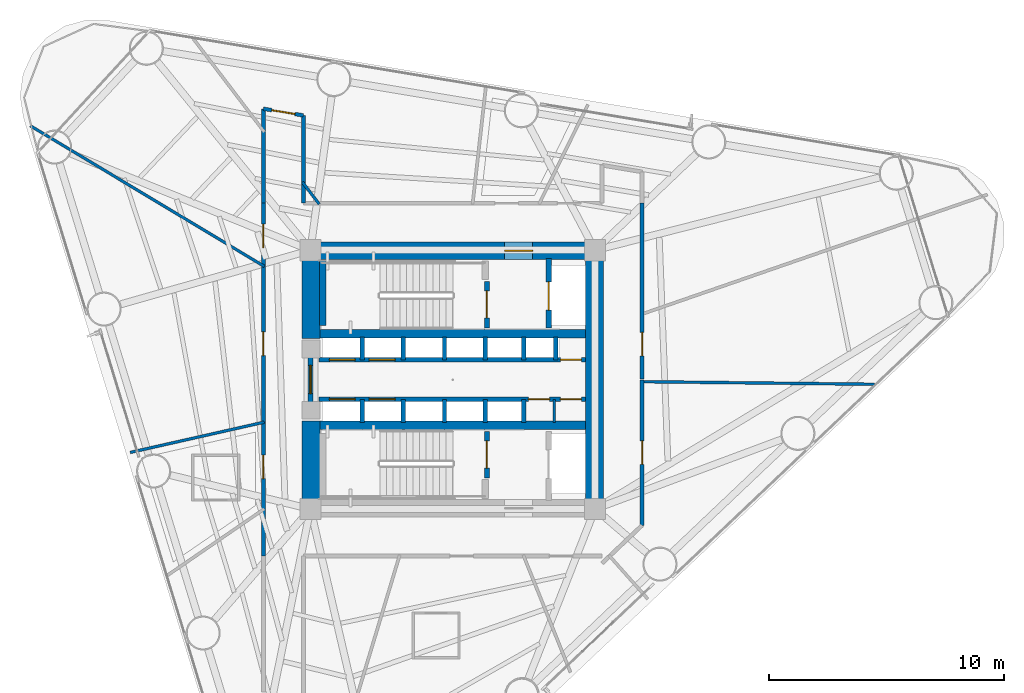
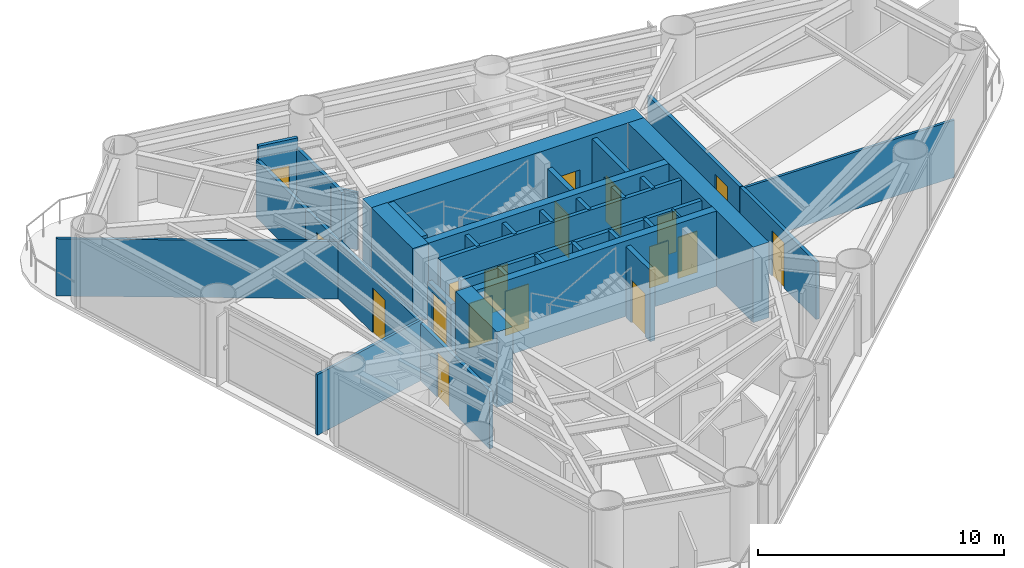
# One storey, part 6 of 10: 35 walls, 18 doors, 18 openings.
"""IFC4 building model written with IfcOpenShell, lengths in metres."""

from ifc_helpers import new_model, si_unit, direction, frame, frame_2d, origin, place, context, subcontext, project, spatial, rectangle, extrude, material, layer, layer_set, type_object, element, fill, save


model = new_model("IFC4")

# Units and contexts
model_context = context("Model", 3, precision=1e-05, world=origin(), true_north=direction((0.0, 1.0)))
body_context = subcontext(model_context, "Body", "Model", "MODEL_VIEW")
ifc_project = project(units=[si_unit("LENGTHUNIT", "METRE"), si_unit("AREAUNIT", "SQUARE_METRE"), si_unit("VOLUMEUNIT", "CUBIC_METRE"), si_unit("PLANEANGLEUNIT", "RADIAN"), si_unit("MASSUNIT", "GRAM", prefix="KILO")], contexts=[model_context])

# Site, building, storey
site_placement = place(None, origin())
site = spatial("IfcSite", under=ifc_project, at=site_placement, CompositionType="ELEMENT")
building_placement = place(site_placement, origin())
building = spatial("IfcBuilding", under=site, at=building_placement, Name="Yunling Apex Tower", CompositionType="ELEMENT")
storey_placement = place(building_placement, frame((0.0, 0.0, 89.89990234375)))
storey = spatial("IfcBuildingStorey", under=building, at=storey_placement, Name="L22", CompositionType="ELEMENT", Elevation=89.89990234375)

# Wall, opening, door
ifc_material_1 = material(Name="Concrete C60", Category="concrete")
ifc_layer_1 = layer(ifc_material_1, 0.75)
ifc_layer_set_1 = layer_set([ifc_layer_1], Name="Concrete C60")
wall_type_1 = type_object("IfcWallType", Name="WL-COR-1", PredefinedType="SHEAR", material=ifc_layer_set_1)
wall_1_placement = place(storey_placement, frame((-6.39990234375, 5.47509765625, 0.0), z_axis=(0.0, 0.0, 1.0), x_axis=(1.0, 0.0, 0.0)))
wall_1 = element("IfcWall", 1, at=wall_1_placement, inside=storey, type_object=wall_type_1, Name="L22 North Core Shear Wall", PredefinedType="SHEAR", context=body_context, shape_type="SweptSolid", body=[
    extrude(rectangle(XDim=12.7998046875, YDim=0.75, at=frame_2d((6.39990234375, 0.0))), origin(), (0.0, 0.0, 1.0), 3.75),
])
opening_1_placement = place(wall_1_placement, frame((8.60009765625, 0.0, 0.0)))
opening_1 = element("IfcOpeningElement", 2, at=opening_1_placement, cuts=wall_1, Name="Opening DR-FFL-1", PredefinedType="OPENING", context=body_context, shape_type="SweptSolid", body=[
    extrude(rectangle(XDim=1.199951171875, YDim=2.199951171875, at=frame_2d((0.60009765625, 1.10009765625))), frame((0.0, 0.385009765625, 0.0), z_axis=(0.0, -1.0, 0.0), x_axis=(1.0, 0.0, 0.0)), (0.0, 0.0, 1.0), 0.77001953125),
])
ifc_material_2 = material(Name="Steel Q355B", Category="steel")
door_type_1 = type_object("IfcDoorType", Name="DR-FFL-1", OperationType="NOTDEFINED", PredefinedType="DOOR", material=ifc_material_2)
door_1_placement = place(opening_1_placement, origin())
door_1 = element("IfcDoor", 3, at=door_1_placement, inside=storey, type_object=door_type_1, Name="L22 North Firefighting Lobby Door", OperationType="SINGLE_SWING_LEFT", OverallHeight=2.199951171875, OverallWidth=1.199951171875, PredefinedType="DOOR", context=body_context, shape_type="SweptSolid", body=[
    extrude(rectangle(XDim=1.199951171875, YDim=2.199951171875, at=frame_2d((0.60009765625, 1.10009765625))), frame((0.0, 0.02490234375, 0.0), z_axis=(0.0, -1.0, 0.0), x_axis=(1.0, 0.0, 0.0)), (0.0, 0.0, 1.0), 0.050048828125),
])
fill(opening_1, door_1)

# Walls
wall_2_placement = place(storey_placement, frame((6.02490234375, -5.10009765625, 0.0), z_axis=(0.0, 0.0, 1.0), x_axis=(0.0, 1.0, 0.0)))
element("IfcWall", 4, at=wall_2_placement, inside=storey, type_object=wall_type_1, Name="L22 East Core Shear Wall", PredefinedType="SHEAR", context=body_context, shape_type="SweptSolid", body=[
    extrude(rectangle(XDim=10.2001953125, YDim=0.75, at=frame_2d((5.10009765625, 0.0))), origin(), (0.0, 0.0, 1.0), 3.75),
])
for number, where, z_axis, x_axis, name in (
    (5, (-6.02490234375, -5.10009765625, 0.0), (0.0, 0.0, 1.0), (0.0, 1.0, 0.0), "L22 West-South Core Shear Wall"),
    (6, (-6.02490234375, 1.75, 0.0), (0.0, 0.0, 1.0), (0.0, 1.0, 0.0), "L22 West-North Core Shear Wall"),
):
    element("IfcWall", number, at=place(storey_placement, frame(where, z_axis=z_axis, x_axis=x_axis)), inside=storey, type_object=wall_type_1, Name=name, PredefinedType="SHEAR", context=body_context, shape_type="SweptSolid", body=[
        extrude(rectangle(XDim=3.35009765625, YDim=0.75, at=frame_2d((1.675048828125, 0.0))), origin(), (0.0, 0.0, 1.0), 3.75),
    ])
ifc_material_3 = material(Name="Concrete C40", Category="concrete")
ifc_layer_2 = layer(ifc_material_3, 0.360107421875)
ifc_layer_set_2 = layer_set([ifc_layer_2], Name="Concrete C40")
wall_type_2 = type_object("IfcWallType", Name="WL-COR-4", PredefinedType="SHEAR", material=ifc_layer_set_2)
for number, where, z_axis, x_axis, name in (
    (7, (-5.64990234375, 1.93994140625, 0.0), (0.0, 0.0, 1.0), (1.0, 0.0, 0.0), "L22 North Internal Core Shear Wall"),
    (8, (-5.64990234375, -1.93994140625, 0.0), (0.0, 0.0, 1.0), (1.0, 0.0, 0.0), "L22 South Internal Core Shear Wall"),
):
    element("IfcWall", number, at=place(storey_placement, frame(where, z_axis=z_axis, x_axis=x_axis)), inside=storey, type_object=wall_type_2, Name=name, PredefinedType="SHEAR", context=body_context, shape_type="SweptSolid", body=[
        extrude(rectangle(XDim=11.2998046875, YDim=0.360107421875, at=frame_2d((5.64990234375, 0.0))), origin(), (0.0, 0.0, 1.0), 3.75),
    ])
ifc_layer_3 = layer(ifc_material_3, 0.280029296875)
ifc_layer_set_3 = layer_set([ifc_layer_3], Name="Concrete C40")
wall_type_3 = type_object("IfcWallType", Name="WL-COR-8", PredefinedType="SHEAR", material=ifc_layer_set_3)
wall_3_placement = place(storey_placement, frame((-5.52001953125, 2.300048828125, 0.0), z_axis=(0.0, 0.0, 1.0), x_axis=(0.0, 1.0, 0.0)))
element("IfcWall", 9, at=wall_3_placement, inside=storey, type_object=wall_type_3, Name="L22 ST-1 West Landing Bearing Wall", PredefinedType="SHEAR", context=body_context, shape_type="SweptSolid", body=[
    extrude(rectangle(XDim=2.75, YDim=0.280029296875, at=frame_2d((1.375, 0.0))), origin(), (0.0, 0.0, 1.0), 3.75),
])

# Wall, openings, doors
ifc_material_4 = material(Name="Gypsum board acoustic partition")
ifc_layer_4 = layer(ifc_material_4, 0.159912109375)
ifc_layer_set_4 = layer_set([ifc_layer_4], Name="Gypsum board acoustic partition")
wall_type_4 = type_object("IfcWallType", Name="WL-PRT-1", PredefinedType="PARTITIONING", material=ifc_layer_set_4)
wall_4_placement = place(storey_placement, frame((-8.050048828125, -7.5, 0.0), z_axis=(0.0, 0.0, 1.0), x_axis=(0.0, 1.0, 0.0)))
wall_4 = element("IfcWall", 10, at=wall_4_placement, inside=storey, type_object=wall_type_4, Name="WL-CORR-L22-03", PredefinedType="PARTITIONING", context=body_context, shape_type="SweptSolid", body=[
    extrude(rectangle(XDim=15.0, YDim=0.159912109375, at=frame_2d((7.5, 0.0))), origin(), (0.0, 0.0, 1.0), 2.85009765625),
])
opening_2_placement = place(wall_4_placement, frame((3.2919921875, 0.0, 0.0)))
opening_2 = element("IfcOpeningElement", 11, at=opening_2_placement, cuts=wall_4, Name="Opening DR-OFF-1", PredefinedType="OPENING", context=body_context, shape_type="SweptSolid", body=[
    extrude(rectangle(XDim=1.0, YDim=2.25, at=frame_2d((0.5, 1.125))), frame((0.0, 0.08984375, 0.0), z_axis=(0.0, -1.0, 0.0), x_axis=(1.0, 0.0, 0.0)), (0.0, 0.0, 1.0), 0.179931640625),
])
opening_3_placement = place(wall_4_placement, frame((8.52392578125, 0.0, 0.0)))
opening_3 = element("IfcOpeningElement", 12, at=opening_3_placement, cuts=wall_4, Name="Opening DR-OFF-1", PredefinedType="OPENING", context=body_context, shape_type="SweptSolid", body=[
    extrude(rectangle(XDim=1.0, YDim=2.25, at=frame_2d((0.5, 1.125))), frame((0.0, 0.08984375, 0.0), z_axis=(0.0, -1.0, 0.0), x_axis=(1.0, 0.0, 0.0)), (0.0, 0.0, 1.0), 0.179931640625),
])
opening_4_placement = place(wall_4_placement, frame((13.105224609375, 0.0, 0.0)))
opening_4 = element("IfcOpeningElement", 13, at=opening_4_placement, cuts=wall_4, Name="Opening DR-OFF-1", PredefinedType="OPENING", context=body_context, shape_type="SweptSolid", body=[
    extrude(rectangle(XDim=1.0, YDim=2.25, at=frame_2d((0.5, 1.125))), frame((0.0, 0.08984375, 0.0), z_axis=(0.0, -1.0, 0.0), x_axis=(1.0, 0.0, 0.0)), (0.0, 0.0, 1.0), 0.179931640625),
])
ifc_material_5 = material(Name="Bronze anodised aluminium", Category="aluminium")
door_type_2 = type_object("IfcDoorType", Name="DR-OFF-1", OperationType="NOTDEFINED", PredefinedType="DOOR", material=ifc_material_5)
door_2_placement = place(opening_2_placement, origin())
door_2 = element("IfcDoor", 14, at=door_2_placement, inside=storey, type_object=door_type_2, Name="L22 Office Suite Door", OperationType="SINGLE_SWING_LEFT", OverallHeight=2.25, OverallWidth=1.0, PredefinedType="DOOR", context=body_context, shape_type="SweptSolid", body=[
    extrude(rectangle(XDim=1.0, YDim=2.25, at=frame_2d((0.5, 1.125))), frame((0.0, 0.02490234375, 0.0), z_axis=(0.0, -1.0, 0.0), x_axis=(1.0, 0.0, 0.0)), (0.0, 0.0, 1.0), 0.050048828125),
])
fill(opening_2, door_2)
door_3_placement = place(opening_3_placement, origin())
door_3 = element("IfcDoor", 15, at=door_3_placement, inside=storey, type_object=door_type_2, Name="L22 Tea Point Kitchen Door", OperationType="SINGLE_SWING_RIGHT", OverallHeight=2.25, OverallWidth=1.0, PredefinedType="DOOR", context=body_context, shape_type="SweptSolid", body=[
    extrude(rectangle(XDim=1.0, YDim=2.25, at=frame_2d((0.5, 1.125))), frame((0.0, 0.02490234375, 0.0), z_axis=(0.0, -1.0, 0.0), x_axis=(1.0, 0.0, 0.0)), (0.0, 0.0, 1.0), 0.050048828125),
])
fill(opening_3, door_3)
door_4_placement = place(opening_4_placement, origin())
door_4 = element("IfcDoor", 16, at=door_4_placement, inside=storey, type_object=door_type_2, Name="L22 Tea Point Kitchen Door", OperationType="SINGLE_SWING_LEFT", OverallHeight=2.25, OverallWidth=1.0, PredefinedType="DOOR", context=body_context, shape_type="SweptSolid", body=[
    extrude(rectangle(XDim=1.0, YDim=2.25, at=frame_2d((0.5, 1.125))), frame((0.0, 0.02490234375, 0.0), z_axis=(0.0, -1.0, 0.0), x_axis=(1.0, 0.0, 0.0)), (0.0, 0.0, 1.0), 0.050048828125),
])
fill(opening_4, door_4)

# Wall
wall_5_placement = place(storey_placement, frame((-8.050048828125, 7.5, 0.0), z_axis=(0.0, 0.0, 1.0), x_axis=(0.0, 1.0, 0.0)))
element("IfcWall", 17, at=wall_5_placement, inside=storey, type_object=wall_type_4, Name="WL-CORR-L22-04", PredefinedType="PARTITIONING", context=body_context, shape_type="SweptSolid", body=[
    extrude(rectangle(XDim=4.012451171875, YDim=0.159912109375, at=frame_2d((2.00634765625, 0.0))), origin(), (0.0, 0.0, 1.0), 2.85009765625),
])

# Wall, opening, door
wall_6_placement = place(storey_placement, frame((-8.050048828125, 11.512451171875, 0.0), z_axis=(0.0, 0.0, 1.0), x_axis=(0.986405407683, -0.164330069354, 0.0)))
wall_6 = element("IfcWall", 18, at=wall_6_placement, inside=storey, type_object=wall_type_4, Name="WL-CORR-L22-05", PredefinedType="PARTITIONING", context=body_context, shape_type="SweptSolid", body=[
    extrude(rectangle(XDim=1.723388671875, YDim=0.159912109375, at=frame_2d((0.86181640625, 0.0))), origin(), (0.0, 0.0, 1.0), 3.545166015625),
])
opening_5_placement = place(wall_6_placement, frame((0.36181640625, 0.0, 0.0)))
opening_5 = element("IfcOpeningElement", 19, at=opening_5_placement, cuts=wall_6, Name="Opening DR-OFF-1", PredefinedType="OPENING", context=body_context, shape_type="SweptSolid", body=[
    extrude(rectangle(XDim=1.0, YDim=2.25, at=frame_2d((0.5, 1.125))), frame((0.0, 0.08984375, 0.0), z_axis=(0.0, -1.0, 0.0), x_axis=(1.0, 0.0, 0.0)), (0.0, 0.0, 1.0), 0.179931640625),
])
door_5_placement = place(opening_5_placement, origin())
door_5 = element("IfcDoor", 20, at=door_5_placement, inside=storey, type_object=door_type_2, Name="L22 Administration Staff Room Door", OperationType="SINGLE_SWING_RIGHT", OverallHeight=2.25, OverallWidth=1.0, PredefinedType="DOOR", context=body_context, shape_type="SweptSolid", body=[
    extrude(rectangle(XDim=1.0, YDim=2.25, at=frame_2d((0.5, 1.125))), frame((0.0, 0.02490234375, 0.0), z_axis=(0.0, -1.0, 0.0), x_axis=(1.0, 0.0, 0.0)), (0.0, 0.0, 1.0), 0.050048828125),
])
fill(opening_5, door_5)

# Wall
wall_7_placement = place(storey_placement, frame((-6.35009765625, 11.229248046875, 0.0), z_axis=(0.0, 0.0, 1.0), x_axis=(0.0, -1.0, 0.0)))
element("IfcWall", 21, at=wall_7_placement, inside=storey, type_object=wall_type_4, Name="WL-CORR-L22-06", PredefinedType="PARTITIONING", context=body_context, shape_type="SweptSolid", body=[
    extrude(rectangle(XDim=3.729248046875, YDim=0.159912109375, at=frame_2d((1.86474609375, 0.0))), origin(), (0.0, 0.0, 1.0), 3.050048828125),
])

# Wall, opening, door
wall_8_placement = place(storey_placement, frame((8.050048828125, 7.5, 0.0), z_axis=(0.0, 0.0, 1.0), x_axis=(0.0, -1.0, 0.0)))
wall_8 = element("IfcWall", 22, at=wall_8_placement, inside=storey, type_object=wall_type_4, Name="WL-CORR-L22-11", PredefinedType="PARTITIONING", context=body_context, shape_type="SweptSolid", body=[
    extrude(rectangle(XDim=7.47998046875, YDim=0.159912109375, at=frame_2d((3.739990234375, 0.0))), origin(), (0.0, 0.0, 1.0), 2.85009765625),
])
opening_6_placement = place(wall_8_placement, frame((5.4912109375, 0.0, 0.0)))
opening_6 = element("IfcOpeningElement", 23, at=opening_6_placement, cuts=wall_8, Name="Opening DR-OFF-1", PredefinedType="OPENING", context=body_context, shape_type="SweptSolid", body=[
    extrude(rectangle(XDim=1.0, YDim=2.25, at=frame_2d((0.5, 1.125))), frame((0.0, 0.08984375, 0.0), z_axis=(0.0, -1.0, 0.0), x_axis=(1.0, 0.0, 0.0)), (0.0, 0.0, 1.0), 0.179931640625),
])
door_6_placement = place(opening_6_placement, origin())
door_6 = element("IfcDoor", 24, at=door_6_placement, inside=storey, type_object=door_type_2, Name="L22 Conference Meeting Room Door", OperationType="SINGLE_SWING_LEFT", OverallHeight=2.25, OverallWidth=1.0, PredefinedType="DOOR", context=body_context, shape_type="SweptSolid", body=[
    extrude(rectangle(XDim=1.0, YDim=2.25, at=frame_2d((0.5, 1.125))), frame((0.0, 0.02490234375, 0.0), z_axis=(0.0, -1.0, 0.0), x_axis=(1.0, 0.0, 0.0)), (0.0, 0.0, 1.0), 0.050048828125),
])
fill(opening_6, door_6)

wall_9_placement = place(storey_placement, frame((8.050048828125, -0.02001953125, 0.0), z_axis=(0.0, 0.0, 1.0), x_axis=(0.0, -1.0, 0.0)))
wall_9 = element("IfcWall", 25, at=wall_9_placement, inside=storey, type_object=wall_type_4, Name="WL-CORR-L22-12", PredefinedType="PARTITIONING", context=body_context, shape_type="SweptSolid", body=[
    extrude(rectangle(XDim=6.173583984375, YDim=0.159912109375, at=frame_2d((3.0869140625, 0.0))), origin(), (0.0, 0.0, 1.0), 2.85009765625),
])
opening_7_placement = place(wall_9_placement, frame((2.5869140625, 0.0, 0.0)))
opening_7 = element("IfcOpeningElement", 26, at=opening_7_placement, cuts=wall_9, Name="Opening DR-OFF-1", PredefinedType="OPENING", context=body_context, shape_type="SweptSolid", body=[
    extrude(rectangle(XDim=1.0, YDim=2.25, at=frame_2d((0.5, 1.125))), frame((0.0, 0.08984375, 0.0), z_axis=(0.0, -1.0, 0.0), x_axis=(1.0, 0.0, 0.0)), (0.0, 0.0, 1.0), 0.179931640625),
])
door_7_placement = place(opening_7_placement, origin())
door_7 = element("IfcDoor", 27, at=door_7_placement, inside=storey, type_object=door_type_2, Name="L22 Tea Point Kitchen Door", OperationType="SINGLE_SWING_RIGHT", OverallHeight=2.25, OverallWidth=1.0, PredefinedType="DOOR", context=body_context, shape_type="SweptSolid", body=[
    extrude(rectangle(XDim=1.0, YDim=2.25, at=frame_2d((0.5, 1.125))), frame((0.0, 0.02490234375, 0.0), z_axis=(0.0, -1.0, 0.0), x_axis=(1.0, 0.0, 0.0)), (0.0, 0.0, 1.0), 0.050048828125),
])
fill(opening_7, door_7)

# Walls
ifc_layer_5 = layer(ifc_material_4, 0.1201171875)
ifc_layer_set_5 = layer_set([ifc_layer_5], Name="Gypsum board acoustic partition")
wall_type_5 = type_object("IfcWallType", Name="WL-PRT-3", PredefinedType="PARTITIONING", material=ifc_layer_set_5)
wall_10_placement = place(storey_placement, frame((-8.010009765625, 4.81298828125, 0.0), z_axis=(0.0, 0.0, 1.0), x_axis=(-0.857173493242, 0.515027768653, 0.0)))
element("IfcWall", 28, at=wall_10_placement, inside=storey, type_object=wall_type_5, Name="WL-RAD-L22-01", PredefinedType="PARTITIONING", context=body_context, shape_type="SweptSolid", body=[
    extrude(rectangle(XDim=11.605224609375, YDim=0.1201171875, at=frame_2d((5.802734375, 0.0))), origin(), (0.0, 0.0, 1.0), 2.85009765625),
])
wall_11_placement = place(storey_placement, frame((-8.010009765625, -1.80908203125, 0.0), z_axis=(0.0, 0.0, 1.0), x_axis=(-0.975429422211, -0.220312147384, 0.0)))
element("IfcWall", 29, at=wall_11_placement, inside=storey, type_object=wall_type_5, Name="WL-RAD-L22-02", PredefinedType="PARTITIONING", context=body_context, shape_type="SweptSolid", body=[
    extrude(rectangle(XDim=5.845458984375, YDim=0.1201171875, at=frame_2d((2.9228515625, 0.0))), origin(), (0.0, 0.0, 1.0), 3.010009765625),
])
wall_12_placement = place(storey_placement, frame((8.010009765625, -0.089111328125, 0.0), z_axis=(0.0, 0.0, 1.0), x_axis=(0.999938319872, -0.011106594972, 0.0)))
element("IfcWall", 30, at=wall_12_placement, inside=storey, type_object=wall_type_5, Name="WL-RAD-L22-07", PredefinedType="PARTITIONING", context=body_context, shape_type="SweptSolid", body=[
    extrude(rectangle(XDim=9.913818359375, YDim=0.1201171875, at=frame_2d((4.95703125, 0.0))), origin(), (0.0, 0.0, 1.0), 2.85009765625),
])
wall_13_placement = place(storey_placement, frame((-5.677490234375, 7.4599609375, 0.0), z_axis=(0.0, 0.0, 1.0), x_axis=(-0.605430415, 0.795898242612, 0.0)))
element("IfcWall", 31, at=wall_13_placement, inside=storey, type_object=wall_type_5, Name="WL-RAD-L22-11", PredefinedType="PARTITIONING", context=body_context, shape_type="SweptSolid", body=[
    extrude(rectangle(XDim=1.1767578125, YDim=0.1201171875, at=frame_2d((0.58837890625, 0.0))), origin(), (0.0, 0.0, 1.0), 2.85009765625),
])
ifc_layer_6 = layer(ifc_material_4, 0.10009765625)
ifc_layer_set_6 = layer_set([ifc_layer_6], Name="Gypsum board acoustic partition")
wall_type_6 = type_object("IfcWallType", Name="WL-PRT-4", PredefinedType="PARTITIONING", material=ifc_layer_set_6)
wall_14_placement = place(storey_placement, frame((4.31005859375, -1.820068359375, 0.0), z_axis=(0.0, 0.0, 1.0), x_axis=(0.0, 1.0, 0.0)))
element("IfcWall", 32, at=wall_14_placement, inside=storey, type_object=wall_type_6, Name="WL-KCDIV-L22", PredefinedType="PARTITIONING", context=body_context, shape_type="SweptSolid", body=[
    extrude(rectangle(XDim=0.97998046875, YDim=0.10009765625, at=frame_2d((0.489990234375, 0.0))), origin(), (0.0, 0.0, 1.0), 3.545166015625),
])

# Wall, opening, door
ifc_material_6 = material(Name="Autoclaved aerated concrete masonry", Category="masonry")
ifc_layer_7 = layer(ifc_material_6, 0.219970703125)
ifc_layer_set_7 = layer_set([ifc_layer_7], Name="Autoclaved aerated concrete masonry")
wall_type_7 = type_object("IfcWallType", Name="WL-SHF-1", PredefinedType="PLUMBINGWALL", material=ifc_layer_set_7)
wall_15_placement = place(storey_placement, frame((-6.050048828125, -0.949951171875, 0.0), z_axis=(0.0, 0.0, 1.0), x_axis=(0.0, 1.0, 0.0)))
wall_15 = element("IfcWall", 33, at=wall_15_placement, inside=storey, type_object=wall_type_7, Name="WL-COR-WPORT-L22", PredefinedType="PLUMBINGWALL", context=body_context, shape_type="SweptSolid", body=[
    extrude(rectangle(XDim=1.89990234375, YDim=0.219970703125, at=frame_2d((0.949951171875, 0.0))), origin(), (0.0, 0.0, 1.0), 2.525146484375),
])
opening_8_placement = place(wall_15_placement, frame((0.35009765625, 0.0, 0.0)))
opening_8 = element("IfcOpeningElement", 34, at=opening_8_placement, cuts=wall_15, Name="Opening DR-FFL-1", PredefinedType="OPENING", context=body_context, shape_type="SweptSolid", body=[
    extrude(rectangle(XDim=1.199951171875, YDim=2.199951171875, at=frame_2d((0.60009765625, 1.10009765625))), frame((0.0, 0.1201171875, 0.0), z_axis=(0.0, -1.0, 0.0), x_axis=(1.0, 0.0, 0.0)), (0.0, 0.0, 1.0), 0.239990234375),
])
door_8_placement = place(opening_8_placement, origin())
door_8 = element("IfcDoor", 35, at=door_8_placement, inside=storey, type_object=door_type_1, Name="L22 Passenger Lift Lobby Entrance Door", OperationType="SINGLE_SWING_RIGHT", OverallHeight=2.199951171875, OverallWidth=1.199951171875, PredefinedType="DOOR", context=body_context, shape_type="SweptSolid", body=[
    extrude(rectangle(XDim=1.199951171875, YDim=2.199951171875, at=frame_2d((0.60009765625, 1.10009765625))), frame((0.0, 0.02490234375, 0.0), z_axis=(0.0, -1.0, 0.0), x_axis=(1.0, 0.0, 0.0)), (0.0, 0.0, 1.0), 0.050048828125),
])
fill(opening_8, door_8)

wall_16_placement = place(storey_placement, frame((1.449951171875, 2.199951171875, 0.0), z_axis=(0.0, 0.0, 1.0), x_axis=(0.0, 1.0, 0.0)))
wall_16 = element("IfcWall", 36, at=wall_16_placement, inside=storey, type_object=wall_type_7, Name="WL-ST1-E-L22", PredefinedType="PLUMBINGWALL", context=body_context, shape_type="SweptSolid", body=[
    extrude(rectangle(XDim=1.97998046875, YDim=0.219970703125, at=frame_2d((0.989990234375, 0.0))), origin(), (0.0, 0.0, 1.0), 3.545166015625),
])
opening_9_placement = place(wall_16_placement, frame((0.419921875, 0.0, 0.0)))
opening_9 = element("IfcOpeningElement", 37, at=opening_9_placement, cuts=wall_16, Name="Opening DR-ST-1", PredefinedType="OPENING", context=body_context, shape_type="SweptSolid", body=[
    extrude(rectangle(XDim=1.14990234375, YDim=2.14990234375, at=frame_2d((0.574951171875, 1.074951171875))), frame((0.0, 0.1201171875, 0.0), z_axis=(0.0, -1.0, 0.0), x_axis=(1.0, 0.0, 0.0)), (0.0, 0.0, 1.0), 0.239990234375),
])
door_type_3 = type_object("IfcDoorType", Name="DR-ST-1", OperationType="NOTDEFINED", PredefinedType="DOOR", material=ifc_material_2)
door_9_placement = place(opening_9_placement, origin())
door_9 = element("IfcDoor", 38, at=door_9_placement, inside=storey, type_object=door_type_3, Name="L22 Stair ST-1 Fire Door", OperationType="SINGLE_SWING_RIGHT", OverallHeight=2.14990234375, OverallWidth=1.14990234375, PredefinedType="DOOR", context=body_context, shape_type="SweptSolid", body=[
    extrude(rectangle(XDim=1.14990234375, YDim=2.14990234375, at=frame_2d((0.574951171875, 1.074951171875))), frame((0.0, 0.02490234375, 0.0), z_axis=(0.0, -1.0, 0.0), x_axis=(1.0, 0.0, 0.0)), (0.0, 0.0, 1.0), 0.050048828125),
])
fill(opening_9, door_9)

wall_17_placement = place(storey_placement, frame((4.080078125, 2.199951171875, 0.0), z_axis=(0.0, 0.0, 1.0), x_axis=(0.0, 1.0, 0.0)))
wall_17 = element("IfcWall", 39, at=wall_17_placement, inside=storey, type_object=wall_type_7, Name="WL-FFL1-W-L22", PredefinedType="PLUMBINGWALL", context=body_context, shape_type="SweptSolid", body=[
    extrude(rectangle(XDim=2.949951171875, YDim=0.219970703125, at=frame_2d((1.47509765625, 0.0))), origin(), (0.0, 0.0, 1.0), 3.545166015625),
])
opening_10_placement = place(wall_17_placement, frame((0.75, 0.0, 0.0)))
opening_10 = element("IfcOpeningElement", 40, at=opening_10_placement, cuts=wall_17, Name="Opening LD-FFL-1", PredefinedType="OPENING", context=body_context, shape_type="SweptSolid", body=[
    extrude(rectangle(XDim=1.199951171875, YDim=2.25, at=frame_2d((0.60009765625, 1.125))), frame((0.0, 0.1201171875, 0.0), z_axis=(0.0, -1.0, 0.0), x_axis=(1.0, 0.0, 0.0)), (0.0, 0.0, 1.0), 0.239990234375),
])
door_type_4 = type_object("IfcDoorType", Name="LD-FFL-1", OperationType="DOUBLE_DOOR_SLIDING", PredefinedType="DOOR", material=ifc_material_2)
door_10_placement = place(opening_10_placement, origin())
door_10 = element("IfcDoor", 41, at=door_10_placement, inside=storey, type_object=door_type_4, Name="L22 Lift FFL-1 Landing Door", OperationType="DOUBLE_DOOR_SLIDING", OverallHeight=2.25, OverallWidth=1.199951171875, PredefinedType="DOOR", context=body_context, shape_type="SweptSolid", body=[
    extrude(rectangle(XDim=1.199951171875, YDim=2.25, at=frame_2d((0.60009765625, 1.125))), frame((0.0, 0.02490234375, 0.0), z_axis=(0.0, -1.0, 0.0), x_axis=(1.0, 0.0, 0.0)), (0.0, 0.0, 1.0), 0.050048828125),
])
fill(opening_10, door_10)

wall_18_placement = place(storey_placement, frame((1.449951171875, -4.179931640625, 0.0), z_axis=(0.0, 0.0, 1.0), x_axis=(0.0, 1.0, 0.0)))
wall_18 = element("IfcWall", 42, at=wall_18_placement, inside=storey, type_object=wall_type_7, Name="WL-ST2-E-L22", PredefinedType="PLUMBINGWALL", context=body_context, shape_type="SweptSolid", body=[
    extrude(rectangle(XDim=1.97998046875, YDim=0.219970703125, at=frame_2d((0.989990234375, 0.0))), origin(), (0.0, 0.0, 1.0), 3.545166015625),
])
opening_11_placement = place(wall_18_placement, frame((0.419921875, 0.0, 0.0)))
opening_11 = element("IfcOpeningElement", 43, at=opening_11_placement, cuts=wall_18, Name="Opening DR-ST-1", PredefinedType="OPENING", context=body_context, shape_type="SweptSolid", body=[
    extrude(rectangle(XDim=1.14990234375, YDim=2.14990234375, at=frame_2d((0.574951171875, 1.074951171875))), frame((0.0, 0.1201171875, 0.0), z_axis=(0.0, -1.0, 0.0), x_axis=(1.0, 0.0, 0.0)), (0.0, 0.0, 1.0), 0.239990234375),
])
door_11_placement = place(opening_11_placement, origin())
door_11 = element("IfcDoor", 44, at=door_11_placement, inside=storey, type_object=door_type_3, Name="L22 Stair ST-2 Fire Door", OperationType="SINGLE_SWING_LEFT", OverallHeight=2.14990234375, OverallWidth=1.14990234375, PredefinedType="DOOR", context=body_context, shape_type="SweptSolid", body=[
    extrude(rectangle(XDim=1.14990234375, YDim=2.14990234375, at=frame_2d((0.574951171875, 1.074951171875))), frame((0.0, 0.02490234375, 0.0), z_axis=(0.0, -1.0, 0.0), x_axis=(1.0, 0.0, 0.0)), (0.0, 0.0, 1.0), 0.050048828125),
])
fill(opening_11, door_11)

# Walls
ifc_layer_8 = layer(ifc_material_6, 0.179931640625)
ifc_layer_set_8 = layer_set([ifc_layer_8], Name="Autoclaved aerated concrete masonry")
wall_type_8 = type_object("IfcWallType", Name="WL-SHF-2", PredefinedType="PLUMBINGWALL", material=ifc_layer_set_8)
for number, where, z_axis, x_axis, name in (
    (45, (-3.85009765625, 0.840087890625, 0.0), (0.0, 0.0, 1.0), (0.0, 1.0, 0.0), "WL-DIV-L12-L22"),
    (46, (-3.85009765625, -1.820068359375, 0.0), (0.0, 0.0, 1.0), (0.0, 1.0, 0.0), "WL-DIV-L34-L22"),
    (47, (-2.10009765625, 0.840087890625, 0.0), (0.0, 0.0, 1.0), (0.0, 1.0, 0.0), "WL-BNK-LM-N-L22"),
    (48, (-2.10009765625, -1.820068359375, 0.0), (0.0, 0.0, 1.0), (0.0, 1.0, 0.0), "WL-BNK-LM-S-L22"),
    (49, (-0.35009765625, 0.840087890625, 0.0), (0.0, 0.0, 1.0), (0.0, 1.0, 0.0), "WL-DIV-M12-L22"),
    (50, (-0.35009765625, -1.820068359375, 0.0), (0.0, 0.0, 1.0), (0.0, 1.0, 0.0), "WL-DIV-M34-L22"),
    (51, (1.3798828125, 0.840087890625, 0.0), (0.0, 0.0, 1.0), (0.0, 1.0, 0.0), "WL-BNK-MH-N-L22"),
    (52, (1.3798828125, -1.820068359375, 0.0), (0.0, 0.0, 1.0), (0.0, 1.0, 0.0), "WL-BNK-MH-S-L22"),
    (53, (3.02001953125, 0.840087890625, 0.0), (0.0, 0.0, 1.0), (0.0, 1.0, 0.0), "WL-DIV-H13-L22"),
    (54, (4.3798828125, 0.840087890625, 0.0), (0.0, 0.0, 1.0), (0.0, 1.0, 0.0), "WL-END-H3E-L22"),
    (55, (3.02001953125, -1.820068359375, 0.0), (0.0, 0.0, 1.0), (0.0, 1.0, 0.0), "WL-END-H2E-L22"),
):
    element("IfcWall", number, at=place(storey_placement, frame(where, z_axis=z_axis, x_axis=x_axis)), inside=storey, type_object=wall_type_8, Name=name, PredefinedType="PLUMBINGWALL", context=body_context, shape_type="SweptSolid", body=[
        extrude(rectangle(XDim=0.97998046875, YDim=0.179931640625, at=frame_2d((0.489990234375, 0.0))), origin(), (0.0, 0.0, 1.0), 3.545166015625),
    ])

# Wall, openings, doors
wall_19_placement = place(storey_placement, frame((-5.679931640625, 0.840087890625, 0.0), z_axis=(0.0, 0.0, 1.0), x_axis=(1.0, 0.0, 0.0)))
wall_19 = element("IfcWall", 56, at=wall_19_placement, inside=storey, type_object=wall_type_8, Name="WL-LOB-N-L22", PredefinedType="PLUMBINGWALL", context=body_context, shape_type="SweptSolid", body=[
    extrude(rectangle(XDim=11.329833984375, YDim=0.179931640625, at=frame_2d((5.6650390625, 0.0))), origin(), (0.0, 0.0, 1.0), 3.545166015625),
])
opening_12_placement = place(wall_19_placement, frame((0.429931640625, 0.0, 0.0)))
opening_12 = element("IfcOpeningElement", 57, at=opening_12_placement, cuts=wall_19, Name="Opening LD-PAS-1", PredefinedType="OPENING", context=body_context, shape_type="SweptSolid", body=[
    extrude(rectangle(XDim=1.10009765625, YDim=2.199951171875, at=frame_2d((0.550048828125, 1.10009765625))), frame((0.0, 0.10009765625, 0.0), z_axis=(0.0, -1.0, 0.0), x_axis=(1.0, 0.0, 0.0)), (0.0, 0.0, 1.0), 0.199951171875),
])
opening_13_placement = place(wall_19_placement, frame((2.1298828125, 0.0, 0.0)))
opening_13 = element("IfcOpeningElement", 58, at=opening_13_placement, cuts=wall_19, Name="Opening LD-PAS-1", PredefinedType="OPENING", context=body_context, shape_type="SweptSolid", body=[
    extrude(rectangle(XDim=1.10009765625, YDim=2.199951171875, at=frame_2d((0.550048828125, 1.10009765625))), frame((0.0, 0.10009765625, 0.0), z_axis=(0.0, -1.0, 0.0), x_axis=(1.0, 0.0, 0.0)), (0.0, 0.0, 1.0), 0.199951171875),
])
opening_14_placement = place(wall_19_placement, frame((10.25, 0.0, 0.0)))
opening_14 = element("IfcOpeningElement", 59, at=opening_14_placement, cuts=wall_19, Name="Opening DR-SHF-1", PredefinedType="OPENING", context=body_context, shape_type="SweptSolid", body=[
    extrude(rectangle(XDim=0.89990234375, YDim=2.050048828125, at=frame_2d((0.449951171875, 1.02490234375))), frame((0.0, 0.10009765625, 0.0), z_axis=(0.0, -1.0, 0.0), x_axis=(1.0, 0.0, 0.0)), (0.0, 0.0, 1.0), 0.199951171875),
])
door_type_5 = type_object("IfcDoorType", Name="DR-SHF-1", OperationType="NOTDEFINED", PredefinedType="DOOR", material=ifc_material_2)
door_12_placement = place(opening_14_placement, origin())
door_12 = element("IfcDoor", 60, at=door_12_placement, inside=storey, type_object=door_type_5, Name="L22 Floor Supply Store Door", OperationType="SINGLE_SWING_RIGHT", OverallHeight=2.050048828125, OverallWidth=0.89990234375, PredefinedType="DOOR", context=body_context, shape_type="SweptSolid", body=[
    extrude(rectangle(XDim=0.89990234375, YDim=2.050048828125, at=frame_2d((0.449951171875, 1.02490234375))), frame((0.0, 0.02490234375, 0.0), z_axis=(0.0, -1.0, 0.0), x_axis=(1.0, 0.0, 0.0)), (0.0, 0.0, 1.0), 0.050048828125),
])
fill(opening_14, door_12)
ifc_material_7 = material(Name="Silver anodised aluminium", Category="aluminium")
door_type_6 = type_object("IfcDoorType", Name="LD-PAS-1", OperationType="DOUBLE_DOOR_SLIDING", PredefinedType="DOOR", material=ifc_material_7)
door_13_placement = place(opening_12_placement, origin())
door_13 = element("IfcDoor", 61, at=door_13_placement, inside=storey, type_object=door_type_6, Name="L22 Lift PL-L1 Landing Door", OperationType="DOUBLE_DOOR_SLIDING", OverallHeight=2.199951171875, OverallWidth=1.10009765625, PredefinedType="DOOR", context=body_context, shape_type="SweptSolid", body=[
    extrude(rectangle(XDim=1.10009765625, YDim=2.199951171875, at=frame_2d((0.550048828125, 1.10009765625))), frame((0.0, 0.02490234375, 0.0), z_axis=(0.0, -1.0, 0.0), x_axis=(1.0, 0.0, 0.0)), (0.0, 0.0, 1.0), 0.050048828125),
])
fill(opening_12, door_13)
door_14_placement = place(opening_13_placement, origin())
door_14 = element("IfcDoor", 62, at=door_14_placement, inside=storey, type_object=door_type_6, Name="L22 Lift PL-L2 Landing Door", OperationType="DOUBLE_DOOR_SLIDING", OverallHeight=2.199951171875, OverallWidth=1.10009765625, PredefinedType="DOOR", context=body_context, shape_type="SweptSolid", body=[
    extrude(rectangle(XDim=1.10009765625, YDim=2.199951171875, at=frame_2d((0.550048828125, 1.10009765625))), frame((0.0, 0.02490234375, 0.0), z_axis=(0.0, -1.0, 0.0), x_axis=(1.0, 0.0, 0.0)), (0.0, 0.0, 1.0), 0.050048828125),
])
fill(opening_13, door_14)

wall_20_placement = place(storey_placement, frame((-5.679931640625, -0.840087890625, 0.0), z_axis=(0.0, 0.0, 1.0), x_axis=(1.0, 0.0, 0.0)))
wall_20 = element("IfcWall", 63, at=wall_20_placement, inside=storey, type_object=wall_type_8, Name="WL-LOB-S-L22", PredefinedType="PLUMBINGWALL", context=body_context, shape_type="SweptSolid", body=[
    extrude(rectangle(XDim=11.329833984375, YDim=0.179931640625, at=frame_2d((5.6650390625, 0.0))), origin(), (0.0, 0.0, 1.0), 3.545166015625),
])
opening_15_placement = place(wall_20_placement, frame((0.429931640625, 0.0, 0.0)))
opening_15 = element("IfcOpeningElement", 64, at=opening_15_placement, cuts=wall_20, Name="Opening LD-PAS-1", PredefinedType="OPENING", context=body_context, shape_type="SweptSolid", body=[
    extrude(rectangle(XDim=1.10009765625, YDim=2.199951171875, at=frame_2d((0.550048828125, 1.10009765625))), frame((0.0, 0.10009765625, 0.0), z_axis=(0.0, -1.0, 0.0), x_axis=(1.0, 0.0, 0.0)), (0.0, 0.0, 1.0), 0.199951171875),
])
opening_16_placement = place(wall_20_placement, frame((2.1298828125, 0.0, 0.0)))
opening_16 = element("IfcOpeningElement", 65, at=opening_16_placement, cuts=wall_20, Name="Opening LD-PAS-1", PredefinedType="OPENING", context=body_context, shape_type="SweptSolid", body=[
    extrude(rectangle(XDim=1.10009765625, YDim=2.199951171875, at=frame_2d((0.550048828125, 1.10009765625))), frame((0.0, 0.10009765625, 0.0), z_axis=(0.0, -1.0, 0.0), x_axis=(1.0, 0.0, 0.0)), (0.0, 0.0, 1.0), 0.199951171875),
])
opening_17_placement = place(wall_20_placement, frame((8.89990234375, 0.0, 0.0)))
opening_17 = element("IfcOpeningElement", 66, at=opening_17_placement, cuts=wall_20, Name="Opening DR-SHF-1", PredefinedType="OPENING", context=body_context, shape_type="SweptSolid", body=[
    extrude(rectangle(XDim=0.89990234375, YDim=2.050048828125, at=frame_2d((0.449951171875, 1.02490234375))), frame((0.0, 0.10009765625, 0.0), z_axis=(0.0, -1.0, 0.0), x_axis=(1.0, 0.0, 0.0)), (0.0, 0.0, 1.0), 0.199951171875),
])
opening_18_placement = place(wall_20_placement, frame((10.25, 0.0, 0.0)))
opening_18 = element("IfcOpeningElement", 67, at=opening_18_placement, cuts=wall_20, Name="Opening DR-SHF-1", PredefinedType="OPENING", context=body_context, shape_type="SweptSolid", body=[
    extrude(rectangle(XDim=0.89990234375, YDim=2.050048828125, at=frame_2d((0.449951171875, 1.02490234375))), frame((0.0, 0.10009765625, 0.0), z_axis=(0.0, -1.0, 0.0), x_axis=(1.0, 0.0, 0.0)), (0.0, 0.0, 1.0), 0.199951171875),
])
door_15_placement = place(opening_17_placement, origin())
door_15 = element("IfcDoor", 68, at=door_15_placement, inside=storey, type_object=door_type_5, Name="L22 LV Closet Door", OperationType="SINGLE_SWING_LEFT", OverallHeight=2.050048828125, OverallWidth=0.89990234375, PredefinedType="DOOR", context=body_context, shape_type="SweptSolid", body=[
    extrude(rectangle(XDim=0.89990234375, YDim=2.050048828125, at=frame_2d((0.449951171875, 1.02490234375))), frame((0.0, 0.02490234375, 0.0), z_axis=(0.0, -1.0, 0.0), x_axis=(1.0, 0.0, 0.0)), (0.0, 0.0, 1.0), 0.050048828125),
])
fill(opening_17, door_15)
door_16_placement = place(opening_18_placement, origin())
door_16 = element("IfcDoor", 69, at=door_16_placement, inside=storey, type_object=door_type_5, Name="L22 Standpipe Closet Door", OperationType="SINGLE_SWING_RIGHT", OverallHeight=2.050048828125, OverallWidth=0.89990234375, PredefinedType="DOOR", context=body_context, shape_type="SweptSolid", body=[
    extrude(rectangle(XDim=0.89990234375, YDim=2.050048828125, at=frame_2d((0.449951171875, 1.02490234375))), frame((0.0, 0.02490234375, 0.0), z_axis=(0.0, -1.0, 0.0), x_axis=(1.0, 0.0, 0.0)), (0.0, 0.0, 1.0), 0.050048828125),
])
fill(opening_18, door_16)
door_17_placement = place(opening_15_placement, origin())
door_17 = element("IfcDoor", 70, at=door_17_placement, inside=storey, type_object=door_type_6, Name="L22 Lift PL-L3 Landing Door", OperationType="DOUBLE_DOOR_SLIDING", OverallHeight=2.199951171875, OverallWidth=1.10009765625, PredefinedType="DOOR", context=body_context, shape_type="SweptSolid", body=[
    extrude(rectangle(XDim=1.10009765625, YDim=2.199951171875, at=frame_2d((0.550048828125, 1.10009765625))), frame((0.0, 0.02490234375, 0.0), z_axis=(0.0, -1.0, 0.0), x_axis=(1.0, 0.0, 0.0)), (0.0, 0.0, 1.0), 0.050048828125),
])
fill(opening_15, door_17)
door_18_placement = place(opening_16_placement, origin())
door_18 = element("IfcDoor", 71, at=door_18_placement, inside=storey, type_object=door_type_6, Name="L22 Lift PL-L4 Landing Door", OperationType="DOUBLE_DOOR_SLIDING", OverallHeight=2.199951171875, OverallWidth=1.10009765625, PredefinedType="DOOR", context=body_context, shape_type="SweptSolid", body=[
    extrude(rectangle(XDim=1.10009765625, YDim=2.199951171875, at=frame_2d((0.550048828125, 1.10009765625))), frame((0.0, 0.02490234375, 0.0), z_axis=(0.0, -1.0, 0.0), x_axis=(1.0, 0.0, 0.0)), (0.0, 0.0, 1.0), 0.050048828125),
])
fill(opening_16, door_18)

save(model, "model.ifc")
